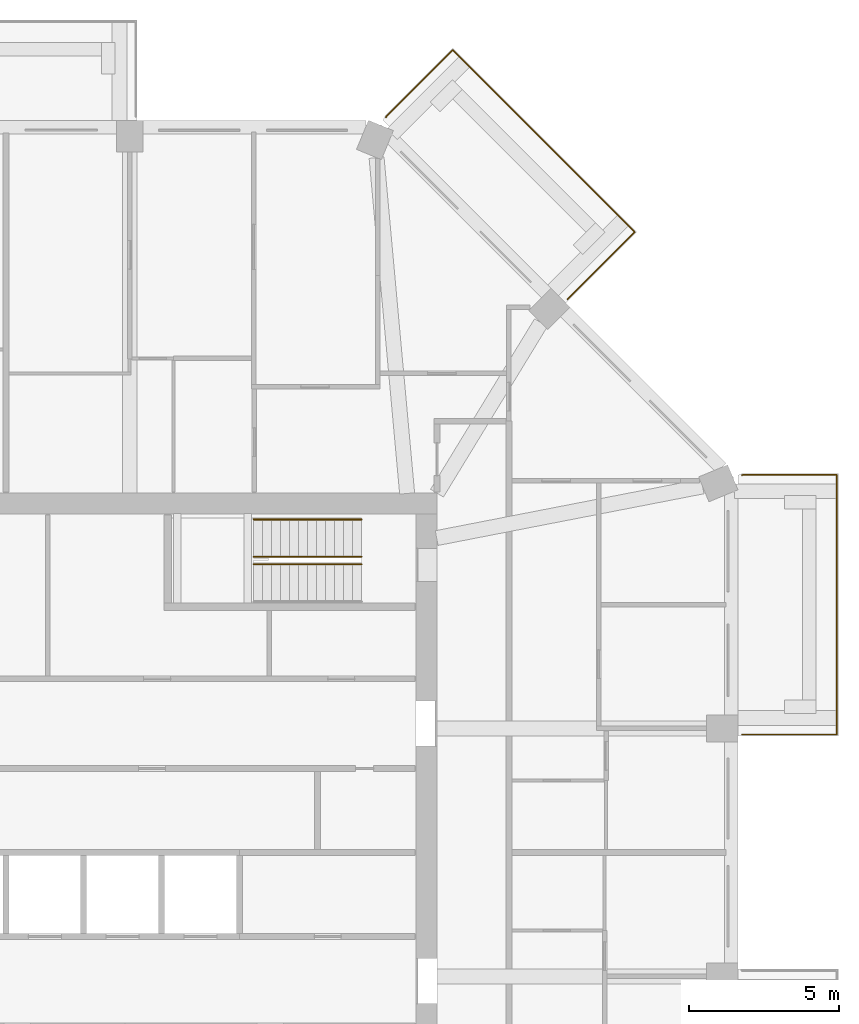
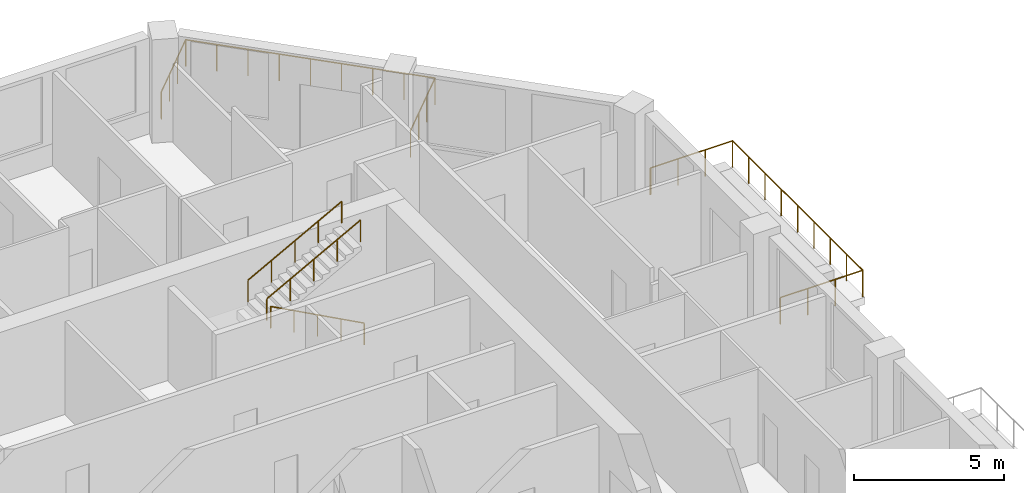
# One storey, part 12 of 12: 5 railings.
"""IFC4 building model written with IfcOpenShell, lengths in metres."""

from ifc_helpers import new_model, si_unit, direction, frame, origin, origin_2d, place, context, subcontext, project, spatial, circle, extrude, material, constituent, constituent_set, type_object, element, save


model = new_model("IFC4")

# Units and contexts
model_context = context("Model", 3, precision=1e-05, world=origin(), true_north=direction((0.0, 1.0)))
body_context = subcontext(model_context, "Body", "Model", "MODEL_VIEW")
ifc_project = project(units=[si_unit("LENGTHUNIT", "METRE"), si_unit("AREAUNIT", "SQUARE_METRE"), si_unit("VOLUMEUNIT", "CUBIC_METRE"), si_unit("PLANEANGLEUNIT", "RADIAN"), si_unit("MASSUNIT", "GRAM", prefix="KILO")], contexts=[model_context])

# Site, building, storey
site_placement = place(None, origin())
site = spatial("IfcSite", under=ifc_project, at=site_placement, CompositionType="ELEMENT")
building_placement = place(site_placement, origin())
building = spatial("IfcBuilding", under=site, at=building_placement, Name="Msitu Wima Residences", CompositionType="ELEMENT")
storey_placement = place(building_placement, frame((0.0, 0.0, 200.10009765625)))
storey = spatial("IfcBuildingStorey", under=building, at=storey_placement, Name="L46", CompositionType="ELEMENT", Elevation=200.10009765625)

# Railings
ifc_material_1 = material(Name="Steel S355", Category="steel")
ifc_constituent_1 = constituent(ifc_material_1, Name="Steel S355")
ifc_material_2 = material(Name="Weathering patina")
ifc_constituent_2 = constituent(ifc_material_2, Name="Weathering patina")
ifc_constituent_set_1 = constituent_set(constituents=[ifc_constituent_1, ifc_constituent_2], Name="Steel S355")
railing_type_1 = type_object("IfcRailingType", Name="Balcony guard GR1100", PredefinedType="GUARDRAIL", material=ifc_constituent_set_1)
railing_1_placement = place(storey_placement, frame((24.580078125, 12.597900390625, 0.0)))
element("IfcRailing", 1, at=railing_1_placement, inside=storey, type_object=railing_type_1, Name="Balcony guard E2 L46", PredefinedType="GUARDRAIL", context=body_context, shape_type="SweptSolid", body=[
    extrude(circle(Radius=0.02392578125, at=origin_2d()), frame((0.0, 0.0, 1.076171875), z_axis=(0.923276184907, 0.384136806859, 0.0), x_axis=(-0.384136806859, 0.923276184907, 0.0)), (0.0, 0.0, 1.0), 0.0361328125),
    extrude(circle(Radius=0.02392578125, at=origin_2d()), frame((0.033447265625, 0.013916015625, 1.076171875), z_axis=(1.0, 0.0, 0.0), x_axis=(0.0, 1.0, 0.0)), (0.0, 0.0, 1.0), 3.136474609375),
    extrude(circle(Radius=0.02392578125, at=origin_2d()), frame((3.169921875, 0.013916015625, 1.076171875), z_axis=(0.0, -1.0, 0.0), x_axis=(1.0, 0.0, 0.0)), (0.0, 0.0, 1.0), 8.674560546875),
    extrude(circle(Radius=0.02392578125, at=origin_2d()), frame((3.169921875, -8.66064453125, 1.076171875), z_axis=(-1.0, 0.0, 0.0), x_axis=(0.0, -1.0, 0.0)), (0.0, 0.0, 1.0), 3.169921875),
    extrude(circle(Radius=0.02099609375, at=origin_2d()), origin(), (0.0, 0.0, 1.0), 1.052001953125),
    extrude(circle(Radius=0.02099609375, at=origin_2d()), frame((0.033447265625, 0.013916015625, 0.0)), (0.0, 0.0, 1.0), 1.052001953125),
    extrude(circle(Radius=0.02099609375, at=origin_2d()), frame((1.078857421875, 0.013916015625, 0.0)), (0.0, 0.0, 1.0), 1.052001953125),
    extrude(circle(Radius=0.02099609375, at=origin_2d()), frame((2.12451171875, 0.013916015625, 0.0)), (0.0, 0.0, 1.0), 1.052001953125),
    extrude(circle(Radius=0.02099609375, at=origin_2d()), frame((3.169921875, 0.013916015625, 0.0)), (0.0, 0.0, 1.0), 1.052001953125),
    extrude(circle(Radius=0.02099609375, at=origin_2d()), frame((3.169921875, -1.0703125, 0.0)), (0.0, 0.0, 1.0), 1.052001953125),
    extrude(circle(Radius=0.02099609375, at=origin_2d()), frame((3.169921875, -2.15478515625, 0.0)), (0.0, 0.0, 1.0), 1.052001953125),
    extrude(circle(Radius=0.02099609375, at=origin_2d()), frame((3.169921875, -3.239013671875, 0.0)), (0.0, 0.0, 1.0), 1.052001953125),
    extrude(circle(Radius=0.02099609375, at=origin_2d()), frame((3.169921875, -4.3232421875, 0.0)), (0.0, 0.0, 1.0), 1.052001953125),
    extrude(circle(Radius=0.02099609375, at=origin_2d()), frame((3.169921875, -5.40771484375, 0.0)), (0.0, 0.0, 1.0), 1.052001953125),
    extrude(circle(Radius=0.02099609375, at=origin_2d()), frame((3.169921875, -6.491943359375, 0.0)), (0.0, 0.0, 1.0), 1.052001953125),
    extrude(circle(Radius=0.02099609375, at=origin_2d()), frame((3.169921875, -7.576416015625, 0.0)), (0.0, 0.0, 1.0), 1.052001953125),
    extrude(circle(Radius=0.02099609375, at=origin_2d()), frame((3.169921875, -8.66064453125, 0.0)), (0.0, 0.0, 1.0), 1.052001953125),
    extrude(circle(Radius=0.02099609375, at=origin_2d()), frame((2.11328125, -8.66064453125, 0.0)), (0.0, 0.0, 1.0), 1.052001953125),
    extrude(circle(Radius=0.02099609375, at=origin_2d()), frame((1.056640625, -8.66064453125, 0.0)), (0.0, 0.0, 1.0), 1.052001953125),
    extrude(circle(Radius=0.02099609375, at=origin_2d()), frame((0.0, -8.66064453125, 0.0)), (0.0, 0.0, 1.0), 1.052001953125),
])
railing_2_placement = place(storey_placement, frame((12.690185546875, 24.541748046875, 0.0)))
element("IfcRailing", 2, at=railing_2_placement, inside=storey, type_object=railing_type_1, Name="Balcony guard NE1 L46", PredefinedType="GUARDRAIL", context=body_context, shape_type="SweptSolid", body=[
    extrude(circle(Radius=0.02392578125, at=origin_2d()), frame((0.0, 0.0, 1.076171875), z_axis=(0.384136806859, 0.923276184907, 0.0), x_axis=(-0.923276184907, 0.384136806859, 0.0)), (0.0, 0.0, 1.0), 0.0361328125),
    extrude(circle(Radius=0.02392578125, at=origin_2d()), frame((0.013916015625, 0.033447265625, 1.076171875), z_axis=(0.707145698426, 0.707067861805, 0.0), x_axis=(-0.707067861805, 0.707145698426, 0.0)), (0.0, 0.0, 1.0), 3.136474609375),
    extrude(circle(Radius=0.02392578125, at=origin_2d()), frame((2.23193359375, 2.251220703125, 1.076171875), z_axis=(0.707106781187, -0.707106781187, 0.0), x_axis=(0.707106781187, 0.707106781187, 0.0)), (0.0, 0.0, 1.0), 8.593994140625),
    extrude(circle(Radius=0.02392578125, at=origin_2d()), frame((8.308837890625, -3.82568359375, 1.076171875), z_axis=(-0.707145287287, -0.707068272989, 0.0), x_axis=(0.707068272989, -0.707145287287, 0.0)), (0.0, 0.0, 1.0), 3.170166015625),
    extrude(circle(Radius=0.02099609375, at=origin_2d()), origin(), (0.0, 0.0, 1.0), 1.052001953125),
    extrude(circle(Radius=0.02099609375, at=origin_2d()), frame((0.013916015625, 0.033447265625, 0.0)), (0.0, 0.0, 1.0), 1.052001953125),
    extrude(circle(Radius=0.02099609375, at=origin_2d()), frame((0.753173828125, 0.772705078125, 0.0)), (0.0, 0.0, 1.0), 1.052001953125),
    extrude(circle(Radius=0.02099609375, at=origin_2d()), frame((1.49267578125, 1.511962890625, 0.0)), (0.0, 0.0, 1.0), 1.052001953125),
    extrude(circle(Radius=0.02099609375, at=origin_2d()), frame((2.23193359375, 2.251220703125, 0.0)), (0.0, 0.0, 1.0), 1.052001953125),
    extrude(circle(Radius=0.02099609375, at=origin_2d()), frame((2.991455078125, 1.49169921875, 0.0)), (0.0, 0.0, 1.0), 1.052001953125),
    extrude(circle(Radius=0.02099609375, at=origin_2d()), frame((3.751220703125, 0.73193359375, 0.0)), (0.0, 0.0, 1.0), 1.052001953125),
    extrude(circle(Radius=0.02099609375, at=origin_2d()), frame((4.5107421875, -0.027587890625, 0.0)), (0.0, 0.0, 1.0), 1.052001953125),
    extrude(circle(Radius=0.02099609375, at=origin_2d()), frame((5.2705078125, -0.787109375, 0.0)), (0.0, 0.0, 1.0), 1.052001953125),
    extrude(circle(Radius=0.02099609375, at=origin_2d()), frame((6.030029296875, -1.546875, 0.0)), (0.0, 0.0, 1.0), 1.052001953125),
    extrude(circle(Radius=0.02099609375, at=origin_2d()), frame((6.78955078125, -2.306396484375, 0.0)), (0.0, 0.0, 1.0), 1.052001953125),
    extrude(circle(Radius=0.02099609375, at=origin_2d()), frame((7.54931640625, -3.066162109375, 0.0)), (0.0, 0.0, 1.0), 1.052001953125),
    extrude(circle(Radius=0.02099609375, at=origin_2d()), frame((8.308837890625, -3.82568359375, 0.0)), (0.0, 0.0, 1.0), 1.052001953125),
    extrude(circle(Radius=0.02099609375, at=origin_2d()), frame((7.5615234375, -4.57275390625, 0.0)), (0.0, 0.0, 1.0), 1.052001953125),
    extrude(circle(Radius=0.02099609375, at=origin_2d()), frame((6.814453125, -5.320068359375, 0.0)), (0.0, 0.0, 1.0), 1.052001953125),
    extrude(circle(Radius=0.02099609375, at=origin_2d()), frame((6.067138671875, -6.067138671875, 0.0)), (0.0, 0.0, 1.0), 1.052001953125),
])
ifc_constituent_3 = constituent(ifc_material_1, Name="Steel S355")
ifc_material_3 = material(Name="Black powder coating")
ifc_constituent_4 = constituent(ifc_material_3, Name="Black powder coating")
ifc_constituent_set_2 = constituent_set(constituents=[ifc_constituent_3, ifc_constituent_4], Name="Steel S355")
railing_type_2 = type_object("IfcRailingType", Name="Stair handrail HR1", PredefinedType="HANDRAIL", material=ifc_constituent_set_2)
railing_3_placement = place(storey_placement, frame((11.875, 9.625, 0.161376953125)))
element("IfcRailing", 3, at=railing_3_placement, inside=storey, type_object=railing_type_2, Name="Stair 3 handrail", PredefinedType="HANDRAIL", context=body_context, shape_type="SweptSolid", body=[
    extrude(circle(Radius=0.02392578125, at=origin_2d()), frame((0.0, 0.0, 0.8759765625), z_axis=(-0.880474934443, 0.0, 0.474092701714), x_axis=(0.0, -1.0, 0.0)), (0.0, 0.0, 1.0), 4.0888671875),
    extrude(circle(Radius=0.02099609375, at=origin_2d()), origin(), (0.0, 0.0, 1.0), 0.851806640625),
    extrude(circle(Radius=0.02099609375, at=origin_2d()), frame((-0.89990234375, 0.0, 0.484619140625)), (0.0, 0.0, 1.0), 0.851806640625),
    extrude(circle(Radius=0.02099609375, at=origin_2d()), frame((-1.800048828125, 0.0, 0.96923828125)), (0.0, 0.0, 1.0), 0.851806640625),
    extrude(circle(Radius=0.02099609375, at=origin_2d()), frame((-2.7001953125, 0.0, 1.453857421875)), (0.0, 0.0, 1.0), 0.851806640625),
    extrude(circle(Radius=0.02099609375, at=origin_2d()), frame((-3.60009765625, 0.0, 1.9384765625)), (0.0, 0.0, 1.0), 0.851806640625),
])
for number, where, name in (
    (4, (8.27490234375, 9.875, 2.261474609375), "Stair 3 handrail"),
    (5, (8.27490234375, 11.125, 2.261474609375), "Stair 3 handrail"),
):
    element("IfcRailing", number, at=place(storey_placement, frame(where)), inside=storey, type_object=railing_type_2, Name=name, PredefinedType="HANDRAIL", context=body_context, shape_type="SweptSolid", body=[
        extrude(circle(Radius=0.02392578125, at=origin_2d()), frame((0.0, 0.0, 0.8759765625), z_axis=(0.880474934443, 0.0, 0.474092701714), x_axis=(0.0, 1.0, 0.0)), (0.0, 0.0, 1.0), 4.0888671875),
        extrude(circle(Radius=0.02099609375, at=origin_2d()), origin(), (0.0, 0.0, 1.0), 0.851806640625),
        extrude(circle(Radius=0.02099609375, at=origin_2d()), frame((0.89990234375, 0.0, 0.484619140625)), (0.0, 0.0, 1.0), 0.851806640625),
        extrude(circle(Radius=0.02099609375, at=origin_2d()), frame((1.800048828125, 0.0, 0.96923828125)), (0.0, 0.0, 1.0), 0.851806640625),
        extrude(circle(Radius=0.02099609375, at=origin_2d()), frame((2.7001953125, 0.0, 1.453857421875)), (0.0, 0.0, 1.0), 0.851806640625),
        extrude(circle(Radius=0.02099609375, at=origin_2d()), frame((3.60009765625, 0.0, 1.9384765625)), (0.0, 0.0, 1.0), 0.851806640625),
    ])

save(model, "model.ifc")
